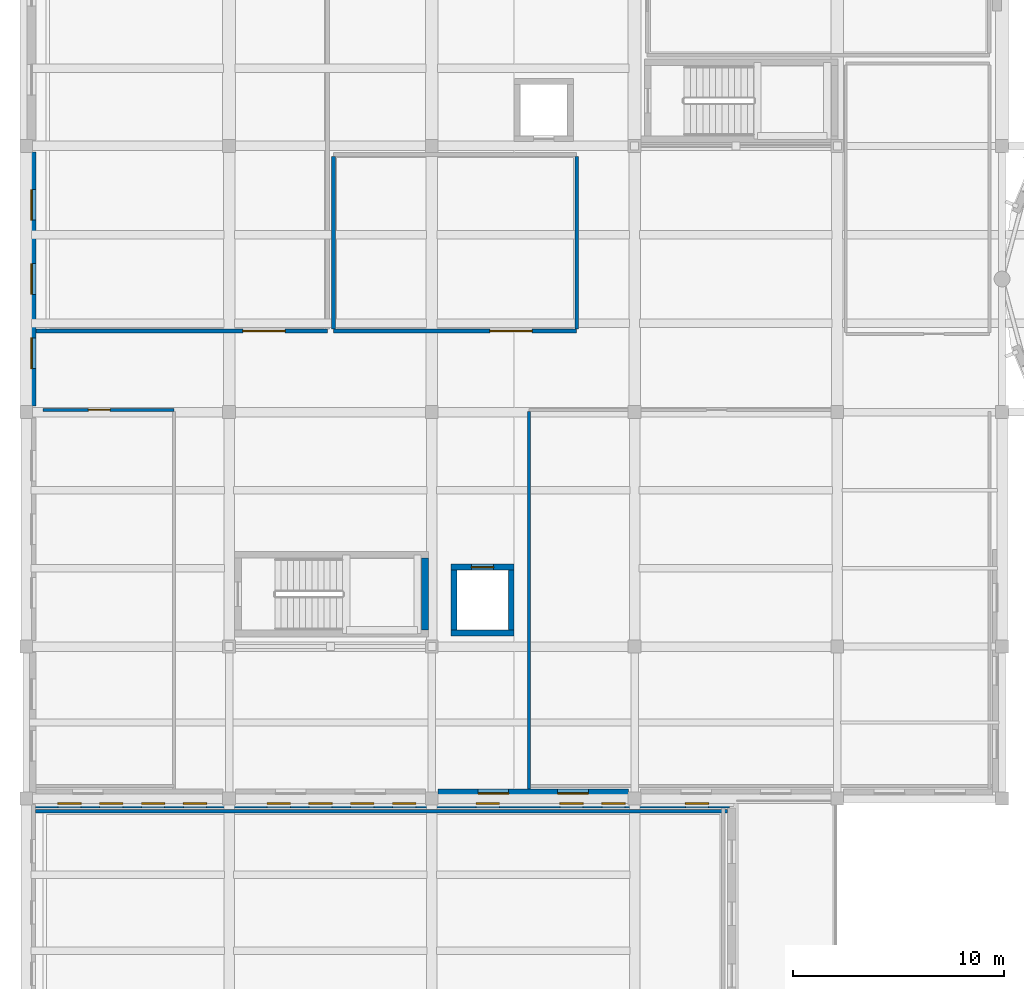
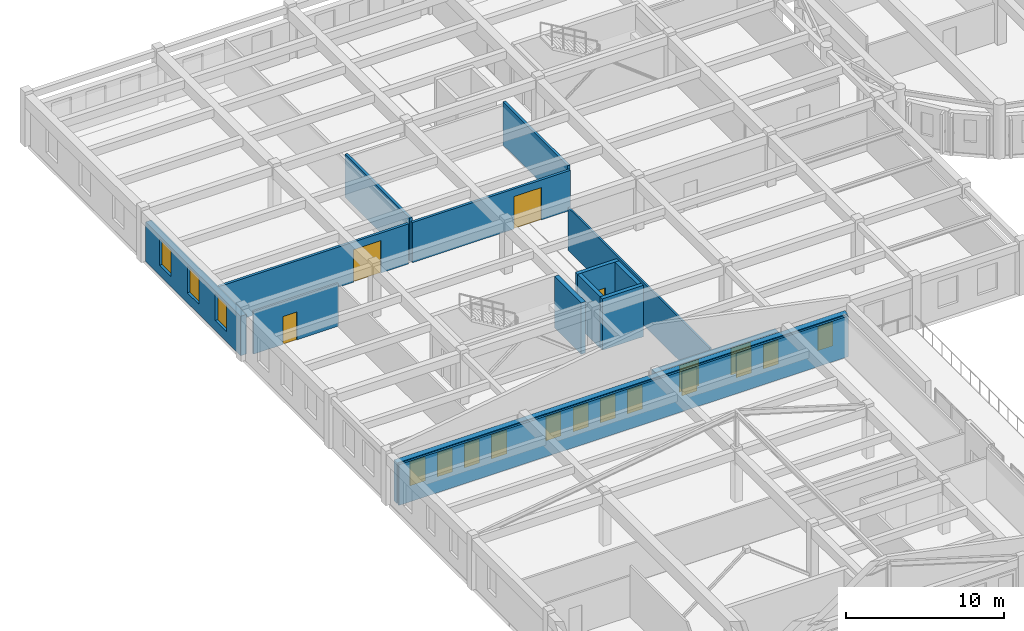
# One storey, part 12 of 31: 17 windows, 15 walls, 4 doors, 21 openings.
"""IFC4 building model written with IfcOpenShell, lengths in metres."""

from ifc_helpers import new_model, si_unit, direction, frame, frame_2d, origin, place, context, subcontext, project, spatial, rectangle, extrude, material, layer, layer_set, type_object, element, fill, save


model = new_model("IFC4")

# Units and contexts
model_context = context("Model", 3, precision=1e-05, world=origin(), true_north=direction((0.0, 1.0)))
body_context = subcontext(model_context, "Body", "Model", "MODEL_VIEW")
ifc_project = project(units=[si_unit("LENGTHUNIT", "METRE"), si_unit("AREAUNIT", "SQUARE_METRE"), si_unit("VOLUMEUNIT", "CUBIC_METRE"), si_unit("PLANEANGLEUNIT", "RADIAN"), si_unit("MASSUNIT", "GRAM", prefix="KILO")], contexts=[model_context])

# Site, building, storey
site_placement = place(None, origin())
site = spatial("IfcSite", under=ifc_project, at=site_placement, CompositionType="ELEMENT")
building_placement = place(site_placement, origin())
building = spatial("IfcBuilding", under=site, at=building_placement, Name="Tarnavel Promenade Courthouse", CompositionType="ELEMENT")
storey_placement = place(building_placement, frame((0.0, 0.0, 18.60009765625)))
storey = spatial("IfcBuildingStorey", under=building, at=storey_placement, Name="L05", CompositionType="ELEMENT", Elevation=18.60009765625)

# Wall
ifc_material_1 = material(Name="Acoustic Insulated Gypsum Stud Partition", Category="gypsum")
ifc_layer_1 = layer(ifc_material_1, 0.14990234375)
ifc_layer_set_1 = layer_set([ifc_layer_1], Name="Acoustic Insulated Gypsum Stud Partition")
wall_type_1 = type_object("IfcWallType", Name="Acoustic Insulated Gypsum Stud Partition WL-LIB-150 (150 mm)", PredefinedType="PARTITIONING", material=ifc_layer_set_1)
wall_1_placement = place(storey_placement, frame((0.43896484375, 66.60009765625, 0.0), z_axis=(0.0, 0.0, 1.0), x_axis=(1.0, 0.0, 0.0)))
element("IfcWall", 1, at=wall_1_placement, inside=storey, type_object=wall_type_1, Name="L05 Law Library Reading Room Terrace Pavilion Partition 0706", PredefinedType="PARTITIONING", context=body_context, shape_type="SweptSolid", body=[
    extrude(rectangle(XDim=32.761962890625, YDim=0.14990234375, at=frame_2d((16.380859375, 0.0))), origin(), (0.0, 0.0, 1.0), 3.139892578125),
])

# Wall, opening, door
ifc_material_2 = material(Name="Concrete C40/50", Category="concrete")
ifc_layer_2 = layer(ifc_material_2, 0.280029296875)
ifc_layer_set_2 = layer_set([ifc_layer_2], Name="Concrete C40/50")
wall_type_2 = type_object("IfcWallType", Name="Concrete C40/50 WL-SHR-280 (280 mm)", PredefinedType="SHEAR", material=ifc_layer_set_2)
wall_2_placement = place(storey_placement, frame((20.10009765625, 78.159912109375, 0.0), z_axis=(0.0, 0.0, 1.0), x_axis=(1.0, 0.0, 0.0)))
wall_2 = element("IfcWall", 2, at=wall_2_placement, inside=storey, type_object=wall_type_2, Name="L05 L-PUB3 Lift Shaft North Wall", PredefinedType="SHEAR", context=body_context, shape_type="SweptSolid", body=[
    extrude(rectangle(XDim=3.0, YDim=0.280029296875, at=frame_2d((1.5, 0.0))), origin(), (0.0, 0.0, 1.0), 3.9599609375),
])
opening_1_placement = place(wall_2_placement, frame((0.97509765625, 0.0, 0.0)))
opening_1 = element("IfcOpeningElement", 3, at=opening_1_placement, cuts=wall_2, Name="Opening LD-02", PredefinedType="OPENING", context=body_context, shape_type="SweptSolid", body=[
    extrude(rectangle(XDim=1.050048828125, YDim=2.199951171875, at=frame_2d((0.52490234375, 1.10009765625))), frame((0.0, 0.14990234375, 0.0), z_axis=(0.0, -1.0, 0.0), x_axis=(1.0, 0.0, 0.0)), (0.0, 0.0, 1.0), 0.300048828125),
])
ifc_material_3 = material(Name="Brushed Bronze Passenger Lift Landing Sliding Door")
door_type_1 = type_object("IfcDoorType", Name="Brushed Bronze Passenger Lift Landing Sliding Door (LD-PUB-1050x2200)", OperationType="NOTDEFINED", PredefinedType="DOOR", material=ifc_material_3)
door_1_placement = place(opening_1_placement, origin())
door_1 = element("IfcDoor", 4, at=door_1_placement, inside=storey, type_object=door_type_1, Name="L05 L-PUB3 Lift Sliding Landing Door", OperationType="DOUBLE_DOOR_SLIDING", OverallHeight=2.199951171875, OverallWidth=1.050048828125, PredefinedType="DOOR", context=body_context, shape_type="SweptSolid", body=[
    extrude(rectangle(XDim=1.050048828125, YDim=2.199951171875, at=frame_2d((0.52490234375, 1.10009765625))), frame((0.0, 0.02490234375, 0.0), z_axis=(0.0, -1.0, 0.0), x_axis=(1.0, 0.0, 0.0)), (0.0, 0.0, 1.0), 0.050048828125),
])
fill(opening_1, door_1)

# Walls
wall_3_placement = place(storey_placement, frame((23.10009765625, 75.0400390625, 0.0), z_axis=(0.0, 0.0, 1.0), x_axis=(-1.0, 0.0, 0.0)))
element("IfcWall", 5, at=wall_3_placement, inside=storey, type_object=wall_type_2, Name="L05 L-PUB3 Lift Shaft South Wall", PredefinedType="SHEAR", context=body_context, shape_type="SweptSolid", body=[
    extrude(rectangle(XDim=3.0, YDim=0.280029296875, at=frame_2d((1.5, 0.0))), origin(), (0.0, 0.0, 1.0), 3.9599609375),
])
for number, where, z_axis, x_axis, name in (
    (6, (20.239990234375, 75.179931640625, 0.0), (0.0, 0.0, 1.0), (0.0, 1.0, 0.0), "L05 L-PUB3 Lift Shaft West Wall"),
    (7, (22.9599609375, 78.02001953125, 0.0), (0.0, 0.0, 1.0), (0.0, -1.0, 0.0), "L05 L-PUB3 Lift Shaft East Wall"),
):
    element("IfcWall", number, at=place(storey_placement, frame(where, z_axis=z_axis, x_axis=x_axis)), inside=storey, type_object=wall_type_2, Name=name, PredefinedType="SHEAR", context=body_context, shape_type="SweptSolid", body=[
        extrude(rectangle(XDim=2.840087890625, YDim=0.280029296875, at=frame_2d((1.419921875, 0.0))), origin(), (0.0, 0.0, 1.0), 3.9599609375),
    ])
ifc_layer_3 = layer(ifc_material_2, 0.320068359375)
ifc_layer_set_3 = layer_set([ifc_layer_3], Name="Concrete C40/50")
wall_type_3 = type_object("IfcWallType", Name="Concrete C40/50 WL-SHR-320 (320 mm)", PredefinedType="SHEAR", material=ifc_layer_set_3)
wall_4_placement = place(storey_placement, frame((18.8798828125, 78.580078125, 0.0), z_axis=(0.0, 0.0, 1.0), x_axis=(0.0, -1.0, 0.0)))
element("IfcWall", 8, at=wall_4_placement, inside=storey, type_object=wall_type_3, Name="L05 ST-04 Shear Core East Wall", PredefinedType="SHEAR", context=body_context, shape_type="SweptSolid", body=[
    extrude(rectangle(XDim=3.400146484375, YDim=0.320068359375, at=frame_2d((1.7001953125, 0.0))), origin(), (0.0, 0.0, 1.0), 3.9599609375),
])

# Wall, openings, windows
ifc_material_4 = material(Name="Cream Brick Insulated Cavity Facade Assembly", Category="masonry")
ifc_layer_4 = layer(ifc_material_4, 0.409912109375)
ifc_layer_set_4 = layer_set([ifc_layer_4], Name="Cream Brick Insulated Cavity Facade Assembly")
wall_type_4 = type_object("IfcWallType", Name="Cream Brick Insulated Cavity Facade Assembly WL-EXT-410 (410 mm)", PredefinedType="STANDARD", material=ifc_layer_set_4)
wall_5_placement = place(storey_placement, frame((0.43701171875, 66.9599609375, 0.0), z_axis=(0.0, 0.0, 1.0), x_axis=(1.0, 0.0, 0.0)))
wall_5 = element("IfcWall", 9, at=wall_5_placement, inside=storey, type_object=wall_type_4, Name="L05 L05 Law Library North Stepback Wall 0453", PredefinedType="STANDARD", context=body_context, shape_type="SweptSolid", body=[
    extrude(rectangle(XDim=32.863037109375, YDim=0.409912109375, at=frame_2d((16.431640625, 0.0))), origin(), (0.0, 0.0, 1.0), 3.139892578125),
])
opening_2_placement = place(wall_5_placement, frame((1.0537109375, 0.0, 0.89990234375)))
opening_2 = element("IfcOpeningElement", 10, at=opening_2_placement, cuts=wall_5, Name="Opening W-07", PredefinedType="OPENING", context=body_context, shape_type="SweptSolid", body=[
    extrude(rectangle(XDim=1.10009765625, YDim=1.85009765625, at=frame_2d((0.550048828125, 0.925048828125))), frame((0.0, 0.21484375, 0.0), z_axis=(0.0, -1.0, 0.0), x_axis=(1.0, 0.0, 0.0)), (0.0, 0.0, 1.0), 0.429931640625),
])
opening_3_placement = place(wall_5_placement, frame((3.034912109375, 0.0, 0.89990234375)))
opening_3 = element("IfcOpeningElement", 11, at=opening_3_placement, cuts=wall_5, Name="Opening W-07", PredefinedType="OPENING", context=body_context, shape_type="SweptSolid", body=[
    extrude(rectangle(XDim=1.10009765625, YDim=1.85009765625, at=frame_2d((0.550048828125, 0.925048828125))), frame((0.0, 0.21484375, 0.0), z_axis=(0.0, -1.0, 0.0), x_axis=(1.0, 0.0, 0.0)), (0.0, 0.0, 1.0), 0.429931640625),
])
opening_4_placement = place(wall_5_placement, frame((5.01611328125, 0.0, 0.89990234375)))
opening_4 = element("IfcOpeningElement", 12, at=opening_4_placement, cuts=wall_5, Name="Opening W-07", PredefinedType="OPENING", context=body_context, shape_type="SweptSolid", body=[
    extrude(rectangle(XDim=1.10009765625, YDim=1.85009765625, at=frame_2d((0.550048828125, 0.925048828125))), frame((0.0, 0.21484375, 0.0), z_axis=(0.0, -1.0, 0.0), x_axis=(1.0, 0.0, 0.0)), (0.0, 0.0, 1.0), 0.429931640625),
])
opening_5_placement = place(wall_5_placement, frame((6.997314453125, 0.0, 0.89990234375)))
opening_5 = element("IfcOpeningElement", 13, at=opening_5_placement, cuts=wall_5, Name="Opening W-07", PredefinedType="OPENING", context=body_context, shape_type="SweptSolid", body=[
    extrude(rectangle(XDim=1.10009765625, YDim=1.85009765625, at=frame_2d((0.550048828125, 0.925048828125))), frame((0.0, 0.21484375, 0.0), z_axis=(0.0, -1.0, 0.0), x_axis=(1.0, 0.0, 0.0)), (0.0, 0.0, 1.0), 0.429931640625),
])
opening_6_placement = place(wall_5_placement, frame((10.9599609375, 0.0, 0.89990234375)))
opening_6 = element("IfcOpeningElement", 14, at=opening_6_placement, cuts=wall_5, Name="Opening W-07", PredefinedType="OPENING", context=body_context, shape_type="SweptSolid", body=[
    extrude(rectangle(XDim=1.10009765625, YDim=1.85009765625, at=frame_2d((0.550048828125, 0.925048828125))), frame((0.0, 0.21484375, 0.0), z_axis=(0.0, -1.0, 0.0), x_axis=(1.0, 0.0, 0.0)), (0.0, 0.0, 1.0), 0.429931640625),
])
opening_7_placement = place(wall_5_placement, frame((12.941162109375, 0.0, 0.89990234375)))
opening_7 = element("IfcOpeningElement", 15, at=opening_7_placement, cuts=wall_5, Name="Opening W-07", PredefinedType="OPENING", context=body_context, shape_type="SweptSolid", body=[
    extrude(rectangle(XDim=1.10009765625, YDim=1.85009765625, at=frame_2d((0.550048828125, 0.925048828125))), frame((0.0, 0.21484375, 0.0), z_axis=(0.0, -1.0, 0.0), x_axis=(1.0, 0.0, 0.0)), (0.0, 0.0, 1.0), 0.429931640625),
])
opening_8_placement = place(wall_5_placement, frame((14.92236328125, 0.0, 0.89990234375)))
opening_8 = element("IfcOpeningElement", 16, at=opening_8_placement, cuts=wall_5, Name="Opening W-07", PredefinedType="OPENING", context=body_context, shape_type="SweptSolid", body=[
    extrude(rectangle(XDim=1.10009765625, YDim=1.85009765625, at=frame_2d((0.550048828125, 0.925048828125))), frame((0.0, 0.21484375, 0.0), z_axis=(0.0, -1.0, 0.0), x_axis=(1.0, 0.0, 0.0)), (0.0, 0.0, 1.0), 0.429931640625),
])
opening_9_placement = place(wall_5_placement, frame((16.903564453125, 0.0, 0.89990234375)))
opening_9 = element("IfcOpeningElement", 17, at=opening_9_placement, cuts=wall_5, Name="Opening W-07", PredefinedType="OPENING", context=body_context, shape_type="SweptSolid", body=[
    extrude(rectangle(XDim=1.10009765625, YDim=1.85009765625, at=frame_2d((0.550048828125, 0.925048828125))), frame((0.0, 0.21484375, 0.0), z_axis=(0.0, -1.0, 0.0), x_axis=(1.0, 0.0, 0.0)), (0.0, 0.0, 1.0), 0.429931640625),
])
opening_10_placement = place(wall_5_placement, frame((20.8662109375, 0.0, 0.89990234375)))
opening_10 = element("IfcOpeningElement", 18, at=opening_10_placement, cuts=wall_5, Name="Opening W-07", PredefinedType="OPENING", context=body_context, shape_type="SweptSolid", body=[
    extrude(rectangle(XDim=1.10009765625, YDim=1.85009765625, at=frame_2d((0.550048828125, 0.925048828125))), frame((0.0, 0.21484375, 0.0), z_axis=(0.0, -1.0, 0.0), x_axis=(1.0, 0.0, 0.0)), (0.0, 0.0, 1.0), 0.429931640625),
])
opening_11_placement = place(wall_5_placement, frame((24.82861328125, 0.0, 0.89990234375)))
opening_11 = element("IfcOpeningElement", 19, at=opening_11_placement, cuts=wall_5, Name="Opening W-07", PredefinedType="OPENING", context=body_context, shape_type="SweptSolid", body=[
    extrude(rectangle(XDim=1.10009765625, YDim=1.85009765625, at=frame_2d((0.550048828125, 0.925048828125))), frame((0.0, 0.21484375, 0.0), z_axis=(0.0, -1.0, 0.0), x_axis=(1.0, 0.0, 0.0)), (0.0, 0.0, 1.0), 0.429931640625),
])
opening_12_placement = place(wall_5_placement, frame((26.809814453125, 0.0, 0.89990234375)))
opening_12 = element("IfcOpeningElement", 20, at=opening_12_placement, cuts=wall_5, Name="Opening W-07", PredefinedType="OPENING", context=body_context, shape_type="SweptSolid", body=[
    extrude(rectangle(XDim=1.10009765625, YDim=1.85009765625, at=frame_2d((0.550048828125, 0.925048828125))), frame((0.0, 0.21484375, 0.0), z_axis=(0.0, -1.0, 0.0), x_axis=(1.0, 0.0, 0.0)), (0.0, 0.0, 1.0), 0.429931640625),
])
opening_13_placement = place(wall_5_placement, frame((30.7724609375, 0.0, 0.89990234375)))
opening_13 = element("IfcOpeningElement", 21, at=opening_13_placement, cuts=wall_5, Name="Opening W-07", PredefinedType="OPENING", context=body_context, shape_type="SweptSolid", body=[
    extrude(rectangle(XDim=1.10009765625, YDim=1.85009765625, at=frame_2d((0.550048828125, 0.925048828125))), frame((0.0, 0.21484375, 0.0), z_axis=(0.0, -1.0, 0.0), x_axis=(1.0, 0.0, 0.0)), (0.0, 0.0, 1.0), 0.429931640625),
])
ifc_material_5 = material(Name="Triple Low-E Glazed Bronze-Clad Window Assembly")
window_type_1 = type_object("IfcWindowType", Name="Triple-Glazed Bronze-Clad Timber-Aluminium WIN-LIB-1100x1850", PartitioningType="SINGLE_PANEL", PredefinedType="WINDOW", material=ifc_material_5)
window_1_placement = place(opening_2_placement, origin())
window_1 = element("IfcWindow", 22, at=window_1_placement, inside=storey, type_object=window_type_1, Name="L05 Exterior Window 0605", OverallHeight=1.85009765625, OverallWidth=1.10009765625, PartitioningType="SINGLE_PANEL", PredefinedType="WINDOW", context=body_context, shape_type="SweptSolid", body=[
    extrude(rectangle(XDim=1.10009765625, YDim=1.85009765625, at=frame_2d((0.550048828125, 0.925048828125))), frame((0.0, 0.030029296875, 0.0), z_axis=(0.0, -1.0, 0.0), x_axis=(1.0, 0.0, 0.0)), (0.0, 0.0, 1.0), 0.06005859375),
])
fill(opening_2, window_1)
window_2_placement = place(opening_3_placement, origin())
window_2 = element("IfcWindow", 23, at=window_2_placement, inside=storey, type_object=window_type_1, Name="L05 Exterior Window 0606", OverallHeight=1.85009765625, OverallWidth=1.10009765625, PartitioningType="SINGLE_PANEL", PredefinedType="WINDOW", context=body_context, shape_type="SweptSolid", body=[
    extrude(rectangle(XDim=1.10009765625, YDim=1.85009765625, at=frame_2d((0.550048828125, 0.925048828125))), frame((0.0, 0.030029296875, 0.0), z_axis=(0.0, -1.0, 0.0), x_axis=(1.0, 0.0, 0.0)), (0.0, 0.0, 1.0), 0.06005859375),
])
fill(opening_3, window_2)
window_3_placement = place(opening_4_placement, origin())
window_3 = element("IfcWindow", 24, at=window_3_placement, inside=storey, type_object=window_type_1, Name="L05 Exterior Window 0607", OverallHeight=1.85009765625, OverallWidth=1.10009765625, PartitioningType="SINGLE_PANEL", PredefinedType="WINDOW", context=body_context, shape_type="SweptSolid", body=[
    extrude(rectangle(XDim=1.10009765625, YDim=1.85009765625, at=frame_2d((0.550048828125, 0.925048828125))), frame((0.0, 0.030029296875, 0.0), z_axis=(0.0, -1.0, 0.0), x_axis=(1.0, 0.0, 0.0)), (0.0, 0.0, 1.0), 0.06005859375),
])
fill(opening_4, window_3)
window_4_placement = place(opening_5_placement, origin())
window_4 = element("IfcWindow", 25, at=window_4_placement, inside=storey, type_object=window_type_1, Name="L05 Exterior Window 0608", OverallHeight=1.85009765625, OverallWidth=1.10009765625, PartitioningType="SINGLE_PANEL", PredefinedType="WINDOW", context=body_context, shape_type="SweptSolid", body=[
    extrude(rectangle(XDim=1.10009765625, YDim=1.85009765625, at=frame_2d((0.550048828125, 0.925048828125))), frame((0.0, 0.030029296875, 0.0), z_axis=(0.0, -1.0, 0.0), x_axis=(1.0, 0.0, 0.0)), (0.0, 0.0, 1.0), 0.06005859375),
])
fill(opening_5, window_4)
window_5_placement = place(opening_6_placement, origin())
window_5 = element("IfcWindow", 26, at=window_5_placement, inside=storey, type_object=window_type_1, Name="L05 Exterior Window 0609", OverallHeight=1.85009765625, OverallWidth=1.10009765625, PartitioningType="SINGLE_PANEL", PredefinedType="WINDOW", context=body_context, shape_type="SweptSolid", body=[
    extrude(rectangle(XDim=1.10009765625, YDim=1.85009765625, at=frame_2d((0.550048828125, 0.925048828125))), frame((0.0, 0.030029296875, 0.0), z_axis=(0.0, -1.0, 0.0), x_axis=(1.0, 0.0, 0.0)), (0.0, 0.0, 1.0), 0.06005859375),
])
fill(opening_6, window_5)
window_6_placement = place(opening_7_placement, origin())
window_6 = element("IfcWindow", 27, at=window_6_placement, inside=storey, type_object=window_type_1, Name="L05 Exterior Window 0610", OverallHeight=1.85009765625, OverallWidth=1.10009765625, PartitioningType="SINGLE_PANEL", PredefinedType="WINDOW", context=body_context, shape_type="SweptSolid", body=[
    extrude(rectangle(XDim=1.10009765625, YDim=1.85009765625, at=frame_2d((0.550048828125, 0.925048828125))), frame((0.0, 0.030029296875, 0.0), z_axis=(0.0, -1.0, 0.0), x_axis=(1.0, 0.0, 0.0)), (0.0, 0.0, 1.0), 0.06005859375),
])
fill(opening_7, window_6)
window_7_placement = place(opening_8_placement, origin())
window_7 = element("IfcWindow", 28, at=window_7_placement, inside=storey, type_object=window_type_1, Name="L05 Exterior Window 0611", OverallHeight=1.85009765625, OverallWidth=1.10009765625, PartitioningType="SINGLE_PANEL", PredefinedType="WINDOW", context=body_context, shape_type="SweptSolid", body=[
    extrude(rectangle(XDim=1.10009765625, YDim=1.85009765625, at=frame_2d((0.550048828125, 0.925048828125))), frame((0.0, 0.030029296875, 0.0), z_axis=(0.0, -1.0, 0.0), x_axis=(1.0, 0.0, 0.0)), (0.0, 0.0, 1.0), 0.06005859375),
])
fill(opening_8, window_7)
window_8_placement = place(opening_9_placement, origin())
window_8 = element("IfcWindow", 29, at=window_8_placement, inside=storey, type_object=window_type_1, Name="L05 Exterior Window 0612", OverallHeight=1.85009765625, OverallWidth=1.10009765625, PartitioningType="SINGLE_PANEL", PredefinedType="WINDOW", context=body_context, shape_type="SweptSolid", body=[
    extrude(rectangle(XDim=1.10009765625, YDim=1.85009765625, at=frame_2d((0.550048828125, 0.925048828125))), frame((0.0, 0.030029296875, 0.0), z_axis=(0.0, -1.0, 0.0), x_axis=(1.0, 0.0, 0.0)), (0.0, 0.0, 1.0), 0.06005859375),
])
fill(opening_9, window_8)
window_9_placement = place(opening_10_placement, origin())
window_9 = element("IfcWindow", 30, at=window_9_placement, inside=storey, type_object=window_type_1, Name="L05 Exterior Window 0613", OverallHeight=1.85009765625, OverallWidth=1.10009765625, PartitioningType="SINGLE_PANEL", PredefinedType="WINDOW", context=body_context, shape_type="SweptSolid", body=[
    extrude(rectangle(XDim=1.10009765625, YDim=1.85009765625, at=frame_2d((0.550048828125, 0.925048828125))), frame((0.0, 0.030029296875, 0.0), z_axis=(0.0, -1.0, 0.0), x_axis=(1.0, 0.0, 0.0)), (0.0, 0.0, 1.0), 0.06005859375),
])
fill(opening_10, window_9)
window_10_placement = place(opening_11_placement, origin())
window_10 = element("IfcWindow", 31, at=window_10_placement, inside=storey, type_object=window_type_1, Name="L05 Exterior Window 0614", OverallHeight=1.85009765625, OverallWidth=1.10009765625, PartitioningType="SINGLE_PANEL", PredefinedType="WINDOW", context=body_context, shape_type="SweptSolid", body=[
    extrude(rectangle(XDim=1.10009765625, YDim=1.85009765625, at=frame_2d((0.550048828125, 0.925048828125))), frame((0.0, 0.030029296875, 0.0), z_axis=(0.0, -1.0, 0.0), x_axis=(1.0, 0.0, 0.0)), (0.0, 0.0, 1.0), 0.06005859375),
])
fill(opening_11, window_10)
window_11_placement = place(opening_12_placement, origin())
window_11 = element("IfcWindow", 32, at=window_11_placement, inside=storey, type_object=window_type_1, Name="L05 Exterior Window 0615", OverallHeight=1.85009765625, OverallWidth=1.10009765625, PartitioningType="SINGLE_PANEL", PredefinedType="WINDOW", context=body_context, shape_type="SweptSolid", body=[
    extrude(rectangle(XDim=1.10009765625, YDim=1.85009765625, at=frame_2d((0.550048828125, 0.925048828125))), frame((0.0, 0.030029296875, 0.0), z_axis=(0.0, -1.0, 0.0), x_axis=(1.0, 0.0, 0.0)), (0.0, 0.0, 1.0), 0.06005859375),
])
fill(opening_12, window_11)
window_12_placement = place(opening_13_placement, origin())
window_12 = element("IfcWindow", 33, at=window_12_placement, inside=storey, type_object=window_type_1, Name="L05 Exterior Window 0616", OverallHeight=1.85009765625, OverallWidth=1.10009765625, PartitioningType="SINGLE_PANEL", PredefinedType="WINDOW", context=body_context, shape_type="SweptSolid", body=[
    extrude(rectangle(XDim=1.10009765625, YDim=1.85009765625, at=frame_2d((0.550048828125, 0.925048828125))), frame((0.0, 0.030029296875, 0.0), z_axis=(0.0, -1.0, 0.0), x_axis=(1.0, 0.0, 0.0)), (0.0, 0.0, 1.0), 0.06005859375),
])
fill(opening_13, window_12)

# Wall, opening, door
ifc_material_6 = material(Name="Double-Stud Acoustic Courtroom Partition Assembly", Category="gypsum")
ifc_layer_5 = layer(ifc_material_6, 0.18505859375)
ifc_layer_set_5 = layer_set([ifc_layer_5], Name="Double-Stud Acoustic Courtroom Partition Assembly")
wall_type_5 = type_object("IfcWallType", Name="Double-Stud Acoustic Courtroom Partition Assembly WL-CRT-185 (185 mm)", PredefinedType="PARTITIONING", material=ifc_layer_set_5)
wall_6_placement = place(storey_placement, frame((14.26708984375, 89.340087890625, 0.0), z_axis=(0.0, 0.0, 1.0), x_axis=(-1.0, 0.0, 0.0)))
wall_6 = element("IfcWall", 34, at=wall_6_placement, inside=storey, type_object=wall_type_5, Name="L05 Appellate Division Courtroom A Partition 0686", PredefinedType="PARTITIONING", context=body_context, shape_type="SweptSolid", body=[
    extrude(rectangle(XDim=13.81298828125, YDim=0.18505859375, at=frame_2d((6.906494140625, 0.0))), origin(), (0.0, 0.0, 1.0), 3.08984375),
])
opening_14_placement = place(wall_6_placement, frame((2.01708984375, 0.0, 0.0)))
opening_14 = element("IfcOpeningElement", 35, at=opening_14_placement, cuts=wall_6, Name="Opening ID-01", PredefinedType="OPENING", context=body_context, shape_type="SweptSolid", body=[
    extrude(rectangle(XDim=2.0, YDim=2.5, at=frame_2d((1.0, 1.25))), frame((0.0, 0.1025390625, 0.0), z_axis=(0.0, -1.0, 0.0), x_axis=(1.0, 0.0, 0.0)), (0.0, 0.0, 1.0), 0.205078125),
])
ifc_material_7 = material(Name="Solid Oak Acoustic Courtroom Double Door")
door_type_2 = type_object("IfcDoorType", Name="Solid Oak Acoustic Courtroom Double Door (DR-CRT-2000x2500)", OperationType="NOTDEFINED", PredefinedType="DOOR", material=ifc_material_7)
door_2_placement = place(opening_14_placement, origin())
door_2 = element("IfcDoor", 36, at=door_2_placement, inside=storey, type_object=door_type_2, Name="L05 Appellate Division Courtroom A Door 0196", OperationType="DOUBLE_DOOR_SINGLE_SWING", OverallHeight=2.5, OverallWidth=2.0, PredefinedType="DOOR", context=body_context, shape_type="SweptSolid", body=[
    extrude(rectangle(XDim=2.0, YDim=2.5, at=frame_2d((1.0, 1.25))), frame((0.0, 0.02490234375, 0.0), z_axis=(0.0, -1.0, 0.0), x_axis=(1.0, 0.0, 0.0)), (0.0, 0.0, 1.0), 0.050048828125),
])
fill(opening_14, door_2)

wall_7_placement = place(storey_placement, frame((26.06005859375, 89.340087890625, 0.0), z_axis=(0.0, 0.0, 1.0), x_axis=(-1.0, 0.0, 0.0)))
wall_7 = element("IfcWall", 37, at=wall_7_placement, inside=storey, type_object=wall_type_5, Name="L05 Appellate Division Courtroom B Partition 0689", PredefinedType="PARTITIONING", context=body_context, shape_type="SweptSolid", body=[
    extrude(rectangle(XDim=11.512939453125, YDim=0.18505859375, at=frame_2d((5.75634765625, 0.0))), origin(), (0.0, 0.0, 1.0), 3.08984375),
])
opening_15_placement = place(wall_7_placement, frame((2.112548828125, 0.0, 0.0)))
opening_15 = element("IfcOpeningElement", 38, at=opening_15_placement, cuts=wall_7, Name="Opening ID-01", PredefinedType="OPENING", context=body_context, shape_type="SweptSolid", body=[
    extrude(rectangle(XDim=2.0, YDim=2.5, at=frame_2d((1.0, 1.25))), frame((0.0, 0.1025390625, 0.0), z_axis=(0.0, -1.0, 0.0), x_axis=(1.0, 0.0, 0.0)), (0.0, 0.0, 1.0), 0.205078125),
])
door_3_placement = place(opening_15_placement, origin())
door_3 = element("IfcDoor", 39, at=door_3_placement, inside=storey, type_object=door_type_2, Name="L05 Appellate Division Courtroom B Door 0197", OperationType="DOUBLE_DOOR_SINGLE_SWING", OverallHeight=2.5, OverallWidth=2.0, PredefinedType="DOOR", context=body_context, shape_type="SweptSolid", body=[
    extrude(rectangle(XDim=2.0, YDim=2.5, at=frame_2d((1.0, 1.25))), frame((0.0, 0.02490234375, 0.0), z_axis=(0.0, -1.0, 0.0), x_axis=(1.0, 0.0, 0.0)), (0.0, 0.0, 1.0), 0.050048828125),
])
fill(opening_15, door_3)

# Walls
for number, where, z_axis, x_axis, name in (
    (40, (14.547119140625, 89.4423828125, 0.0), (0.0, 0.0, 1.0), (0.0, 1.0, 0.0), "L05 Appellate Division Courtroom B Partition 0690"),
    (41, (26.06005859375, 97.597412109375, 0.0), (0.0, 0.0, 1.0), (0.0, -1.0, 0.0), "L05 Appellate Division Courtroom B Partition 0691"),
):
    element("IfcWall", number, at=place(storey_placement, frame(where, z_axis=z_axis, x_axis=x_axis)), inside=storey, type_object=wall_type_5, Name=name, PredefinedType="PARTITIONING", context=body_context, shape_type="SweptSolid", body=[
        extrude(rectangle(XDim=8.155029296875, YDim=0.18505859375, at=frame_2d((4.07763671875, 0.0))), origin(), (0.0, 0.0, 1.0), 3.33984375),
    ])

# Wall, openings, windows
ifc_material_8 = material(Name="Limestone Ashlar Faced Insulated Brick Masonry", Category="masonry")
ifc_layer_6 = layer(ifc_material_8, 0.43994140625)
ifc_layer_set_6 = layer_set([ifc_layer_6], Name="Limestone Ashlar Faced Insulated Brick Masonry")
wall_type_6 = type_object("IfcWallType", Name="Limestone Ashlar Faced Insulated Brick Masonry WL-EXT-440 (440 mm)", PredefinedType="STANDARD", material=ifc_layer_set_6)
wall_8_placement = place(storey_placement, frame((0.239990234375, 85.7919921875, 0.0), z_axis=(0.0, 0.0, 1.0), x_axis=(0.0, 1.0, 0.0)))
wall_8 = element("IfcWall", 42, at=wall_8_placement, inside=storey, type_object=wall_type_6, Name="L05 Trial Wing West Ashlar Facade 0320", PredefinedType="STANDARD", context=body_context, shape_type="SweptSolid", body=[
    extrude(rectangle(XDim=12.01611328125, YDim=0.43994140625, at=frame_2d((6.008056640625, 0.0))), origin(), (0.0, 0.0, 1.0), 3.039794921875),
])
opening_16_placement = place(wall_8_placement, frame((1.769775390625, 0.0, 0.77001953125)))
opening_16 = element("IfcOpeningElement", 43, at=opening_16_placement, cuts=wall_8, Name="Opening W-03", PredefinedType="OPENING", context=body_context, shape_type="SweptSolid", body=[
    extrude(rectangle(XDim=1.449951171875, YDim=2.050048828125, at=frame_2d((0.72509765625, 1.02490234375))), frame((0.0, 0.22998046875, 0.0), z_axis=(0.0, -1.0, 0.0), x_axis=(1.0, 0.0, 0.0)), (0.0, 0.0, 1.0), 0.4599609375),
])
opening_17_placement = place(wall_8_placement, frame((5.282958984375, 0.0, 0.77001953125)))
opening_17 = element("IfcOpeningElement", 44, at=opening_17_placement, cuts=wall_8, Name="Opening W-03", PredefinedType="OPENING", context=body_context, shape_type="SweptSolid", body=[
    extrude(rectangle(XDim=1.449951171875, YDim=2.050048828125, at=frame_2d((0.72509765625, 1.02490234375))), frame((0.0, 0.22998046875, 0.0), z_axis=(0.0, -1.0, 0.0), x_axis=(1.0, 0.0, 0.0)), (0.0, 0.0, 1.0), 0.4599609375),
])
opening_18_placement = place(wall_8_placement, frame((8.79638671875, 0.0, 0.77001953125)))
opening_18 = element("IfcOpeningElement", 45, at=opening_18_placement, cuts=wall_8, Name="Opening W-03", PredefinedType="OPENING", context=body_context, shape_type="SweptSolid", body=[
    extrude(rectangle(XDim=1.449951171875, YDim=2.050048828125, at=frame_2d((0.72509765625, 1.02490234375))), frame((0.0, 0.22998046875, 0.0), z_axis=(0.0, -1.0, 0.0), x_axis=(1.0, 0.0, 0.0)), (0.0, 0.0, 1.0), 0.4599609375),
])
window_type_2 = type_object("IfcWindowType", Name="Triple-Glazed Bronze-Clad Timber-Aluminium WIN-APP-1450x2050", PartitioningType="SINGLE_PANEL", PredefinedType="WINDOW", material=ifc_material_5)
window_13_placement = place(opening_16_placement, origin())
window_13 = element("IfcWindow", 46, at=window_13_placement, inside=storey, type_object=window_type_2, Name="L05 Exterior Window 0348", OverallHeight=2.050048828125, OverallWidth=1.449951171875, PartitioningType="SINGLE_PANEL", PredefinedType="WINDOW", context=body_context, shape_type="SweptSolid", body=[
    extrude(rectangle(XDim=1.449951171875, YDim=2.050048828125, at=frame_2d((0.72509765625, 1.02490234375))), frame((0.0, 0.030029296875, 0.0), z_axis=(0.0, -1.0, 0.0), x_axis=(1.0, 0.0, 0.0)), (0.0, 0.0, 1.0), 0.06005859375),
])
fill(opening_16, window_13)
window_14_placement = place(opening_17_placement, origin())
window_14 = element("IfcWindow", 47, at=window_14_placement, inside=storey, type_object=window_type_2, Name="L05 Exterior Window 0349", OverallHeight=2.050048828125, OverallWidth=1.449951171875, PartitioningType="SINGLE_PANEL", PredefinedType="WINDOW", context=body_context, shape_type="SweptSolid", body=[
    extrude(rectangle(XDim=1.449951171875, YDim=2.050048828125, at=frame_2d((0.72509765625, 1.02490234375))), frame((0.0, 0.030029296875, 0.0), z_axis=(0.0, -1.0, 0.0), x_axis=(1.0, 0.0, 0.0)), (0.0, 0.0, 1.0), 0.06005859375),
])
fill(opening_17, window_14)
window_15_placement = place(opening_18_placement, origin())
window_15 = element("IfcWindow", 48, at=window_15_placement, inside=storey, type_object=window_type_2, Name="L05 Exterior Window 0350", OverallHeight=2.050048828125, OverallWidth=1.449951171875, PartitioningType="SINGLE_PANEL", PredefinedType="WINDOW", context=body_context, shape_type="SweptSolid", body=[
    extrude(rectangle(XDim=1.449951171875, YDim=2.050048828125, at=frame_2d((0.72509765625, 1.02490234375))), frame((0.0, 0.030029296875, 0.0), z_axis=(0.0, -1.0, 0.0), x_axis=(1.0, 0.0, 0.0)), (0.0, 0.0, 1.0), 0.06005859375),
])
fill(opening_18, window_15)

wall_9_placement = place(storey_placement, frame((28.508056640625, 67.43994140625, 0.0), z_axis=(0.0, 0.0, 1.0), x_axis=(-1.0, 0.0, 0.0)))
wall_9 = element("IfcWall", 49, at=wall_9_placement, inside=storey, type_object=wall_type_6, Name="L05 Trial Wing Upper South Facade 0324", PredefinedType="STANDARD", context=body_context, shape_type="SweptSolid", body=[
    extrude(rectangle(XDim=9.01611328125, YDim=0.43994140625, at=frame_2d((4.508056640625, 0.0))), origin(), (0.0, 0.0, 1.0), 3.139892578125),
])
opening_19_placement = place(wall_9_placement, frame((1.89794921875, 0.0, 0.85009765625)))
opening_19 = element("IfcOpeningElement", 50, at=opening_19_placement, cuts=wall_9, Name="Opening W-03", PredefinedType="OPENING", context=body_context, shape_type="SweptSolid", body=[
    extrude(rectangle(XDim=1.449951171875, YDim=2.050048828125, at=frame_2d((0.72509765625, 1.02490234375))), frame((0.0, 0.22998046875, 0.0), z_axis=(0.0, -1.0, 0.0), x_axis=(1.0, 0.0, 0.0)), (0.0, 0.0, 1.0), 0.4599609375),
])
opening_20_placement = place(wall_9_placement, frame((5.66796875, 0.0, 0.85009765625)))
opening_20 = element("IfcOpeningElement", 51, at=opening_20_placement, cuts=wall_9, Name="Opening W-03", PredefinedType="OPENING", context=body_context, shape_type="SweptSolid", body=[
    extrude(rectangle(XDim=1.449951171875, YDim=2.050048828125, at=frame_2d((0.72509765625, 1.02490234375))), frame((0.0, 0.22998046875, 0.0), z_axis=(0.0, -1.0, 0.0), x_axis=(1.0, 0.0, 0.0)), (0.0, 0.0, 1.0), 0.4599609375),
])
window_16_placement = place(opening_19_placement, origin())
window_16 = element("IfcWindow", 52, at=window_16_placement, inside=storey, type_object=window_type_2, Name="L05 Exterior Window 0357", OverallHeight=2.050048828125, OverallWidth=1.449951171875, PartitioningType="SINGLE_PANEL", PredefinedType="WINDOW", context=body_context, shape_type="SweptSolid", body=[
    extrude(rectangle(XDim=1.449951171875, YDim=2.050048828125, at=frame_2d((0.72509765625, 1.02490234375))), frame((0.0, 0.030029296875, 0.0), z_axis=(0.0, -1.0, 0.0), x_axis=(1.0, 0.0, 0.0)), (0.0, 0.0, 1.0), 0.06005859375),
])
fill(opening_19, window_16)
window_17_placement = place(opening_20_placement, origin())
window_17 = element("IfcWindow", 53, at=window_17_placement, inside=storey, type_object=window_type_2, Name="L05 Exterior Window 0358", OverallHeight=2.050048828125, OverallWidth=1.449951171875, PartitioningType="SINGLE_PANEL", PredefinedType="WINDOW", context=body_context, shape_type="SweptSolid", body=[
    extrude(rectangle(XDim=1.449951171875, YDim=2.050048828125, at=frame_2d((0.72509765625, 1.02490234375))), frame((0.0, 0.030029296875, 0.0), z_axis=(0.0, -1.0, 0.0), x_axis=(1.0, 0.0, 0.0)), (0.0, 0.0, 1.0), 0.06005859375),
])
fill(opening_20, window_17)

# Wall, opening, door
ifc_material_9 = material(Name="Metal-Stud Acoustic Gypsum Partition", Category="gypsum")
ifc_layer_7 = layer(ifc_material_9, 0.135009765625)
ifc_layer_set_7 = layer_set([ifc_layer_7], Name="Metal-Stud Acoustic Gypsum Partition")
wall_type_7 = type_object("IfcWallType", Name="Metal-Stud Acoustic Gypsum Partition WL-OFF-135 (135 mm)", PredefinedType="PARTITIONING", material=ifc_layer_set_7)
wall_10_placement = place(storey_placement, frame((0.800048828125, 85.60009765625, 0.0), z_axis=(0.0, 0.0, 1.0), x_axis=(1.0, 0.0, 0.0)))
wall_10 = element("IfcWall", 54, at=wall_10_placement, inside=storey, type_object=wall_type_7, Name="L05 Appellate Case Review Seminar Room Partition 0699", PredefinedType="PARTITIONING", context=body_context, shape_type="SweptSolid", body=[
    extrude(rectangle(XDim=6.199951171875, YDim=0.135009765625, at=frame_2d((3.10009765625, 0.0))), origin(), (0.0, 0.0, 1.0), 3.289794921875),
])
opening_21_placement = place(wall_10_placement, frame((2.14208984375, 0.0, 0.0)))
opening_21 = element("IfcOpeningElement", 55, at=opening_21_placement, cuts=wall_10, Name="Opening ID-07", PredefinedType="OPENING", context=body_context, shape_type="SweptSolid", body=[
    extrude(rectangle(XDim=1.02001953125, YDim=2.14990234375, at=frame_2d((0.510009765625, 1.074951171875))), frame((0.0, 0.077392578125, 0.0), z_axis=(0.0, -1.0, 0.0), x_axis=(1.0, 0.0, 0.0)), (0.0, 0.0, 1.0), 0.155029296875),
])
ifc_material_10 = material(Name="Acoustic Timber Seminar Room Door", Category="wood")
door_type_3 = type_object("IfcDoorType", Name="Acoustic Timber Seminar Room Door (DR-MTG-1020x2150)", OperationType="NOTDEFINED", PredefinedType="DOOR", material=ifc_material_10)
door_4_placement = place(opening_21_placement, origin())
door_4 = element("IfcDoor", 56, at=door_4_placement, inside=storey, type_object=door_type_3, Name="L05 Appellate Case Review Seminar Room Door 0200", OperationType="SINGLE_SWING_RIGHT", OverallHeight=2.14990234375, OverallWidth=1.02001953125, PredefinedType="DOOR", context=body_context, shape_type="SweptSolid", body=[
    extrude(rectangle(XDim=1.02001953125, YDim=2.14990234375, at=frame_2d((0.510009765625, 1.074951171875))), frame((0.0, 0.02490234375, 0.0), z_axis=(0.0, -1.0, 0.0), x_axis=(1.0, 0.0, 0.0)), (0.0, 0.0, 1.0), 0.050048828125),
])
fill(opening_21, door_4)

# Wall
wall_11_placement = place(storey_placement, frame((23.800048828125, 67.654052734375, 0.0), z_axis=(0.0, 0.0, 1.0), x_axis=(0.0, 1.0, 0.0)))
element("IfcWall", 57, at=wall_11_placement, inside=storey, type_object=wall_type_7, Name="L05 Senior Judicial Clerks' Office Partition 0704", PredefinedType="PARTITIONING", context=body_context, shape_type="SweptSolid", body=[
    extrude(rectangle(XDim=17.868408203125, YDim=0.135009765625, at=frame_2d((8.93408203125, 0.0))), origin(), (0.0, 0.0, 1.0), 3.289794921875),
])

save(model, "model.ifc")
